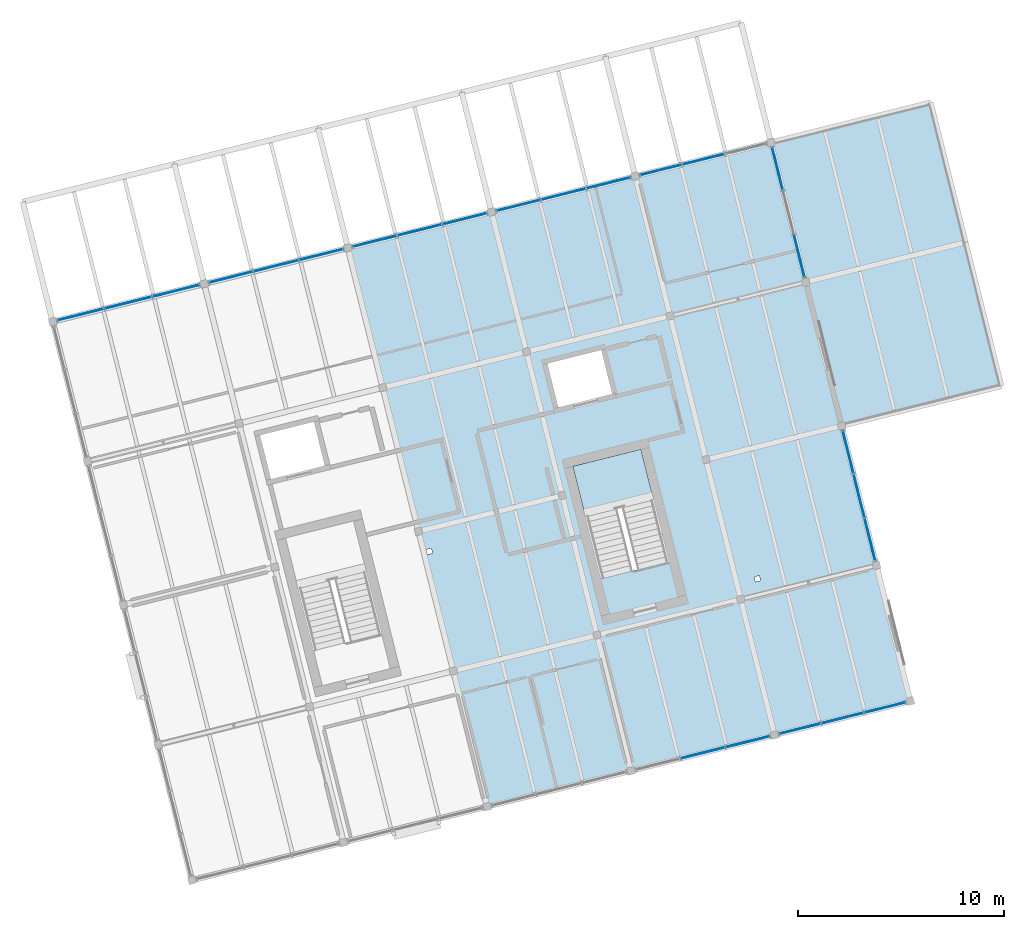
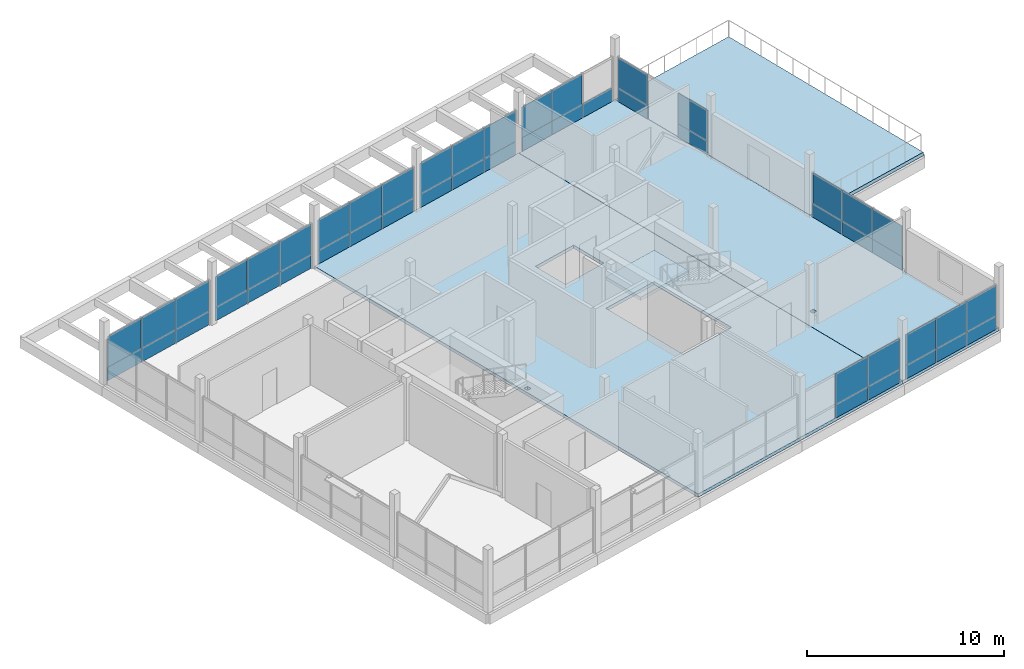
# One storey, part 25 of 28: 49 plates, 4 slabs, 10 elements without a shape of their own.
"""IFC4 building model written with IfcOpenShell, lengths in metres."""

import ifcopenshell
import ifcopenshell.guid

model = None  # the IFC model being written
_history = None  # IfcOwnerHistory: only IFC2X3 demands one
_inside = {}  # id of a spatial element -> (the spatial element, [elements in it])
_under = {}  # id of a project, library or spatial element -> (it, [spatial elements below it])
_declared = {}  # id of a project -> (the project, [libraries it declares])
_typed = {}  # id of a type object -> (the type object, [elements of that type])
_made_of = {}  # id of a material, layer set ... -> (it, [elements and type objects made of it])


def new_model(schema):
    """Start an empty IFC model of exactly this schema.

    Asked for "IFC4X3", IfcOpenShell would pick the latest addendum, in which some entities
    have other attributes; the version numbers below select the first issue.
    IFC2X3 requires an IfcOwnerHistory on every rooted entity: one is made here for all.
    """
    global model, _history
    if schema == "IFC4X3":
        model = ifcopenshell.file(schema_version=(4, 3, 0, 0))
    else:
        model = ifcopenshell.file(schema=schema)
    _inside.clear()
    _under.clear()
    _declared.clear()
    _typed.clear()
    _made_of.clear()
    _history = None
    if model.schema == "IFC2X3":
        org = make("IfcOrganization", Name="unknown")
        user = make(
            "IfcPersonAndOrganization",
            ThePerson=make("IfcPerson", FamilyName="unknown"),
            TheOrganization=org,
        )
        app = make(
            "IfcApplication",
            ApplicationDeveloper=org,
            Version="unknown",
            ApplicationFullName="unknown",
            ApplicationIdentifier="unknown",
        )
        _history = make(
            "IfcOwnerHistory",
            OwningUser=user,
            OwningApplication=app,
            ChangeAction="ADDED",
            CreationDate=0,
        )
    return model


def make(cls, **values):
    """One entity of the class cls with the attributes given. An attribute that is None is left unset."""
    return model.create_entity(
        cls, **{name: value for name, value in values.items() if value is not None}
    )


def rooted(cls, **values):
    """An entity with a GlobalId (a new one), such as an element, a storey or a relation."""
    return make(cls, GlobalId=ifcopenshell.guid.new(), OwnerHistory=_history, **values)


def si_unit(unit_type, name, prefix=None):
    """IfcSIUnit, for example si_unit("LENGTHUNIT", "METRE", prefix="MILLI")."""
    return make("IfcSIUnit", UnitType=unit_type, Prefix=prefix, Name=name)


def assignment(units):
    """IfcUnitAssignment: the units of a project."""
    return None if units is None else make("IfcUnitAssignment", Units=units)


def point(xyz):
    """IfcCartesianPoint."""
    return None if xyz is None else make("IfcCartesianPoint", Coordinates=xyz)


def direction(xyz):
    """IfcDirection."""
    return None if xyz is None else make("IfcDirection", DirectionRatios=xyz)


def frame(location, z_axis=None, x_axis=None):
    """IfcAxis2Placement3D, a coordinate frame: its origin and axes. An axis left out is left unset."""
    return make(
        "IfcAxis2Placement3D",
        Location=point(location),
        Axis=direction(z_axis),
        RefDirection=direction(x_axis),
    )


def frame_2d(location, x_axis=None):
    """IfcAxis2Placement2D, a coordinate frame in the plane: its origin and x axis."""
    return make(
        "IfcAxis2Placement2D", Location=point(location), RefDirection=direction(x_axis)
    )


def origin():
    """The frame at (0, 0, 0) with its axes left unset."""
    return frame((0.0, 0.0, 0.0))


def origin_2d():
    """The frame at (0, 0) in the plane with its x axis left unset."""
    return frame_2d((0.0, 0.0))


def place(relative_to, where):
    """IfcLocalPlacement: puts the frame where relative to a parent placement (None: the world)."""
    return make(
        "IfcLocalPlacement", PlacementRelTo=relative_to, RelativePlacement=where
    )


def context(
    kind, dimensions, precision=None, world=None, true_north=None, identifier=None
):
    """IfcGeometricRepresentationContext, for example the 3D "Model" context."""
    return make(
        "IfcGeometricRepresentationContext",
        ContextIdentifier=identifier,
        ContextType=kind,
        CoordinateSpaceDimension=dimensions,
        Precision=precision,
        WorldCoordinateSystem=world,
        TrueNorth=true_north,
    )


def subcontext(parent, identifier, kind, view, scale=None):
    """IfcGeometricRepresentationSubContext, for example "Body" below "Model"."""
    return make(
        "IfcGeometricRepresentationSubContext",
        ContextIdentifier=identifier,
        ContextType=kind,
        ParentContext=parent,
        TargetScale=scale,
        TargetView=view,
    )


def project(units=None, contexts=None):
    """IfcProject with its units and contexts."""
    return rooted(
        "IfcProject",
        Name="project",
        RepresentationContexts=contexts,
        UnitsInContext=assignment(units),
    )


def spatial(cls, under=None, at=None, **own):
    """A site, building, storey or space (cls), placed at a placement, below another one or the project."""
    s = rooted(cls, ObjectPlacement=at, **own)
    if under is not None:
        _under.setdefault(under.id(), (under, []))[1].append(s)
    return s


def polyline(points):
    """IfcPolyline through the points."""
    return make("IfcPolyline", Points=[point(p) for p in points])


def profile(cls, at=None, kind="AREA", **sizes):
    """A parametric profile (cls). Its sizes go by their IFC names, for example OverallWidth=200.0."""
    return make(cls, ProfileType=kind, Position=at, **sizes)


def rectangle(**sizes):
    """IfcRectangleProfileDef."""
    return profile("IfcRectangleProfileDef", **sizes)


def outline(outer, holes=None, kind="AREA"):
    """IfcArbitraryClosedProfileDef: a profile drawn as a closed curve; with holes, ...WithVoids."""
    if holes is None:
        return make("IfcArbitraryClosedProfileDef", ProfileType=kind, OuterCurve=outer)
    return make(
        "IfcArbitraryProfileDefWithVoids",
        ProfileType=kind,
        OuterCurve=outer,
        InnerCurves=holes,
    )


def extrude(swept, where, along, depth):
    """IfcExtrudedAreaSolid: the profile swept, set in the frame where, extruded along a direction by depth."""
    return make(
        "IfcExtrudedAreaSolid",
        SweptArea=swept,
        Position=where,
        ExtrudedDirection=direction(along),
        Depth=depth,
    )


def shape(context_of_items, identifier, shape_type, items):
    """IfcShapeRepresentation: the items that make up one representation, for example the "Body"."""
    return make(
        "IfcShapeRepresentation",
        ContextOfItems=context_of_items,
        RepresentationIdentifier=identifier,
        RepresentationType=shape_type,
        Items=items,
    )


def material(Name=None, Category=None):
    """IfcMaterial."""
    return make("IfcMaterial", Name=Name, Category=Category)


def layer(
    of_material, thickness, ventilated=None, Name=None, Category=None, Priority=None
):
    """IfcMaterialLayer: one layer of a wall or slab, of a material (None: an air gap)."""
    return make(
        "IfcMaterialLayer",
        Material=of_material,
        LayerThickness=thickness,
        IsVentilated=ventilated,
        Name=Name,
        Category=Category,
        Priority=Priority,
    )


def layer_set(layers, Name=None):
    """IfcMaterialLayerSet."""
    return make("IfcMaterialLayerSet", MaterialLayers=layers, LayerSetName=Name)


def made_of(thing, what):
    """Note that an element or type object is made of a material, layer set ...; save() writes the relation."""
    if what is not None:
        _made_of.setdefault(what.id(), (what, []))[1].append(thing)
    return thing


def type_object(cls, material=None, **own):
    """A type object (cls), such as IfcWallType, which elements share."""
    return made_of(rooted(cls, **own), material)


def element(
    cls,
    number,
    at=None,
    inside=None,
    cuts=None,
    type_object=None,
    material=None,
    context=None,
    identifier="Body",
    shape_type=None,
    held_by="IfcProductDefinitionShape",
    body=None,
    shapes=None,
    **own,
):
    """One element of the class cls, such as IfcWall. Its Tag is "e" and its number.

    at: its placement. inside: the storey or other place that contains it. cuts: it is an
    opening in that element (IfcRelVoidsElement). A single representation is given by context,
    identifier, shape_type and body (its items); several are given by shapes. held_by: the class
    of the entity that holds the representations. save() writes the other relations.
    """
    e = rooted(cls, Tag="e%d" % number, ObjectPlacement=at, **own)
    if body is not None:
        shapes = [shape(context, identifier, shape_type, body)]
    if shapes is not None:
        e.Representation = make(held_by, Representations=shapes)
    if inside is not None:
        _inside.setdefault(inside.id(), (inside, []))[1].append(e)
    if cuts is not None:
        rooted(
            "IfcRelVoidsElement", RelatingBuildingElement=cuts, RelatedOpeningElement=e
        )
    if type_object is not None:
        _typed.setdefault(type_object.id(), (type_object, []))[1].append(e)
    return made_of(e, material)


def aggregate(whole, parts):
    """IfcRelAggregates: a whole, such as a stair, and the parts it consists of."""
    return rooted("IfcRelAggregates", RelatingObject=whole, RelatedObjects=parts)


def save(model, path):
    """Write the relations noted so far, then the file.

    IfcRelAggregates (storeys below a building ...), IfcRelContainedInSpatialStructure (elements
    in a storey), IfcRelDefinesByType, IfcRelAssociatesMaterial and IfcRelDeclares: one each for
    every whole, place, type object, material and project.
    """
    for whole, parts in _under.values():
        aggregate(whole, parts)
    for where, things in _inside.values():
        rooted(
            "IfcRelContainedInSpatialStructure",
            RelatedElements=things,
            RelatingStructure=where,
        )
    for kind, things in _typed.values():
        rooted("IfcRelDefinesByType", RelatedObjects=things, RelatingType=kind)
    for what, things in _made_of.values():
        rooted("IfcRelAssociatesMaterial", RelatedObjects=things, RelatingMaterial=what)
    for by, libraries in _declared.values():
        rooted("IfcRelDeclares", RelatingContext=by, RelatedDefinitions=libraries)
    model.write(path)


model = new_model("IFC4")

# Units and contexts
model_context = context("Model", 3, precision=1e-05, world=origin(), true_north=direction((0.0, 1.0)))
body_context = subcontext(model_context, "Body", "Model", "MODEL_VIEW")
ifc_project = project(units=[si_unit("LENGTHUNIT", "METRE"), si_unit("AREAUNIT", "SQUARE_METRE"), si_unit("VOLUMEUNIT", "CUBIC_METRE"), si_unit("PLANEANGLEUNIT", "RADIAN"), si_unit("MASSUNIT", "GRAM", prefix="KILO")], contexts=[model_context])

# Site, building, storey
site_placement = place(None, origin())
site = spatial("IfcSite", under=ifc_project, at=site_placement, CompositionType="ELEMENT")
building_placement = place(site_placement, origin())
building = spatial("IfcBuilding", under=site, at=building_placement, Name="Meriwether Solvik Hall", CompositionType="ELEMENT")
storey_placement = place(building_placement, frame((0.0, 0.0, 45.60009765625)))
storey = spatial("IfcBuildingStorey", under=building, at=storey_placement, Name="L11", CompositionType="ELEMENT", Elevation=45.60009765625)

# Curtain wall, plates
ifc_material_1 = material(Name="Thermally Broken Anodised Aluminium 6063-T6 and Low-E Glass", Category="aluminium")
ifc_layer_1 = layer(ifc_material_1, 0.179931640625)
ifc_layer_set_1 = layer_set([ifc_layer_1], Name="Thermally Broken Anodised Aluminium 6063-T6 and Low-E Glass")
curtain_wall_type_1 = type_object("IfcCurtainWallType", Name="CW-UNIT-E", PredefinedType="USERDEFINED", material=ifc_layer_set_1)
curtain_wall_1_placement = place(storey_placement, origin())
curtain_wall_1 = element("IfcCurtainWall", 1, at=curtain_wall_1_placement, inside=storey, type_object=curtain_wall_type_1, Name="Curtain Wall E0_B3 (L11)", ObjectType="UNITISED CURTAIN WALL", PredefinedType="USERDEFINED")
ifc_material_2 = material(Name="Low-Emissivity Double-Glazed Laminated Glass", Category="glass")
ifc_layer_2 = layer(ifc_material_2, 0.031982421875)
ifc_layer_set_2 = layer_set([ifc_layer_2], Name="Low-Emissivity Double-Glazed Laminated Glass")
plate_type_1 = type_object("IfcPlateType", Name="PLT-GLZ-180X185", PredefinedType="CURTAIN_PANEL", material=ifc_layer_set_2)
plate_1_placement = place(storey_placement, frame((95.6240234375, 47.937744140625, 0.8369140625), z_axis=(0.0, 0.0, 1.0), x_axis=(-0.97029573429, -0.241921863457, 0.0)))
plate_1 = element("IfcPlate", 2, at=plate_1_placement, type_object=plate_type_1, Name="Low-E Vision Glazing Panel 1", PredefinedType="CURTAIN_PANEL", context=body_context, shape_type="SweptSolid", body=[
    extrude(rectangle(XDim=2.224365234375, YDim=0.033935546875, at=origin_2d()), origin(), (0.0, 0.0, 1.0), 1.89306640625),
])
plate_2_placement = place(storey_placement, frame((93.439453125, 47.393310546875, 0.8369140625), z_axis=(0.0, 0.0, 1.0), x_axis=(-0.97029573429, -0.241921863457, 0.0)))
plate_2 = element("IfcPlate", 3, at=plate_2_placement, type_object=plate_type_1, Name="Low-E Vision Glazing Panel 2", PredefinedType="CURTAIN_PANEL", context=body_context, shape_type="SweptSolid", body=[
    extrude(rectangle(XDim=2.26220703125, YDim=0.033935546875, at=origin_2d()), origin(), (0.0, 0.0, 1.0), 1.89306640625),
])

ifc_material_3 = material(Name="Thermally Broken Anodised Aluminium 6063-T6 and Low-E Glass", Category="aluminium")
ifc_layer_3 = layer(ifc_material_3, 0.179931640625)
ifc_layer_set_3 = layer_set([ifc_layer_3], Name="Thermally Broken Anodised Aluminium 6063-T6 and Low-E Glass")
curtain_wall_type_2 = type_object("IfcCurtainWallType", Name="CW-UNIT-F", PredefinedType="USERDEFINED", material=ifc_layer_set_3)
curtain_wall_2_placement = place(storey_placement, origin())
curtain_wall_2 = element("IfcCurtainWall", 4, at=curtain_wall_2_placement, inside=storey, type_object=curtain_wall_type_2, Name="Curtain Wall E1_B3 (L11)", ObjectType="UNITISED CURTAIN WALL", PredefinedType="USERDEFINED")
plate_3_placement = place(storey_placement, frame((97.074951171875, 75.80126953125, 0.8369140625), z_axis=(0.0, 0.0, 1.0), x_axis=(0.241921946828, -0.970295713503, 0.0)))
plate_3 = element("IfcPlate", 5, at=plate_3_placement, type_object=plate_type_1, Name="Low-E Vision Glazing Panel 1", PredefinedType="CURTAIN_PANEL", context=body_context, shape_type="SweptSolid", body=[
    extrude(rectangle(XDim=2.15771484375, YDim=0.033935546875, at=origin_2d()), origin(), (0.0, 0.0, 1.0), 1.89306640625),
])
plate_4_placement = place(storey_placement, frame((98.132080078125, 71.561767578125, 0.8369140625), z_axis=(0.0, 0.0, 1.0), x_axis=(0.241921946828, -0.970295713503, 0.0)))
plate_4 = element("IfcPlate", 6, at=plate_4_placement, type_object=plate_type_1, Name="Low-E Vision Glazing Panel 3", PredefinedType="CURTAIN_PANEL", context=body_context, shape_type="SweptSolid", body=[
    extrude(rectangle(XDim=2.15771484375, YDim=0.033935546875, at=origin_2d()), origin(), (0.0, 0.0, 1.0), 1.89306640625),
])

ifc_material_4 = material(Name="Thermally Broken Anodised Aluminium 6063-T6 and Low-E Glass", Category="aluminium")
ifc_layer_4 = layer(ifc_material_4, 0.179931640625)
ifc_layer_set_4 = layer_set([ifc_layer_4], Name="Thermally Broken Anodised Aluminium 6063-T6 and Low-E Glass")
curtain_wall_type_3 = type_object("IfcCurtainWallType", Name="CW-UNIT-G", PredefinedType="USERDEFINED", material=ifc_layer_set_4)
curtain_wall_3_placement = place(storey_placement, origin())
curtain_wall_3 = element("IfcCurtainWall", 7, at=curtain_wall_3_placement, inside=storey, type_object=curtain_wall_type_3, Name="Curtain Wall E2_B3 (L11)", ObjectType="UNITISED CURTAIN WALL", PredefinedType="USERDEFINED")
plate_5_placement = place(storey_placement, frame((84.481201171875, 74.016845703125, 0.8369140625), z_axis=(0.0, 0.0, 1.0), x_axis=(0.97029573429, 0.241921863457, 0.0)))
plate_5 = element("IfcPlate", 8, at=plate_5_placement, type_object=plate_type_1, Name="Low-E Vision Glazing Panel 1", PredefinedType="CURTAIN_PANEL", context=body_context, shape_type="SweptSolid", body=[
    extrude(rectangle(XDim=2.224365234375, YDim=0.033935546875, at=origin_2d()), origin(), (0.0, 0.0, 1.0), 1.89306640625),
])
plate_6_placement = place(storey_placement, frame((86.665771484375, 74.5615234375, 0.8369140625), z_axis=(0.0, 0.0, 1.0), x_axis=(0.97029573429, 0.241921863457, 0.0)))
plate_6 = element("IfcPlate", 9, at=plate_6_placement, type_object=plate_type_1, Name="Low-E Vision Glazing Panel 2", PredefinedType="CURTAIN_PANEL", context=body_context, shape_type="SweptSolid", body=[
    extrude(rectangle(XDim=2.26220703125, YDim=0.033935546875, at=origin_2d()), origin(), (0.0, 0.0, 1.0), 1.89306640625),
])
plate_7_placement = place(storey_placement, frame((88.850341796875, 75.106201171875, 0.8369140625), z_axis=(0.0, 0.0, 1.0), x_axis=(0.97029573429, 0.241921863457, 0.0)))
plate_7 = element("IfcPlate", 10, at=plate_7_placement, type_object=plate_type_1, Name="Low-E Vision Glazing Panel 3", PredefinedType="CURTAIN_PANEL", context=body_context, shape_type="SweptSolid", body=[
    extrude(rectangle(XDim=2.224365234375, YDim=0.033935546875, at=origin_2d()), origin(), (0.0, 0.0, 1.0), 1.89306640625),
])

curtain_wall_4_placement = place(storey_placement, origin())
curtain_wall_4 = element("IfcCurtainWall", 11, at=curtain_wall_4_placement, inside=storey, type_object=curtain_wall_type_2, Name="Curtain Wall E2_B2 (L11)", ObjectType="UNITISED CURTAIN WALL", PredefinedType="USERDEFINED")
ifc_material_5 = material(Name="Low-Emissivity Double-Glazed Laminated Glass", Category="glass")
ifc_layer_5 = layer(ifc_material_5, 0.031982421875)
ifc_layer_set_5 = layer_set([ifc_layer_5], Name="Low-Emissivity Double-Glazed Laminated Glass")
plate_type_2 = type_object("IfcPlateType", Name="PLT-GLZ-195X185", PredefinedType="CURTAIN_PANEL", material=ifc_layer_set_5)
plate_8_placement = place(storey_placement, frame((77.4951171875, 72.27490234375, 0.8369140625), z_axis=(0.0, 0.0, 1.0), x_axis=(0.970295725693, 0.241921897937, 0.0)))
plate_8 = element("IfcPlate", 12, at=plate_8_placement, type_object=plate_type_2, Name="Low-E Vision Glazing Panel 1", PredefinedType="CURTAIN_PANEL", context=body_context, shape_type="SweptSolid", body=[
    extrude(rectangle(XDim=2.224365234375, YDim=0.033935546875, at=origin_2d()), origin(), (0.0, 0.0, 1.0), 1.89306640625),
])
plate_9_placement = place(storey_placement, frame((79.6796875, 72.819580078125, 0.8369140625), z_axis=(0.0, 0.0, 1.0), x_axis=(0.970295725693, 0.241921897937, 0.0)))
plate_9 = element("IfcPlate", 13, at=plate_9_placement, type_object=plate_type_2, Name="Low-E Vision Glazing Panel 2", PredefinedType="CURTAIN_PANEL", context=body_context, shape_type="SweptSolid", body=[
    extrude(rectangle(XDim=2.26220703125, YDim=0.033935546875, at=origin_2d()), origin(), (0.0, 0.0, 1.0), 1.89306640625),
])
plate_10_placement = place(storey_placement, frame((81.864013671875, 73.3642578125, 0.8369140625), z_axis=(0.0, 0.0, 1.0), x_axis=(0.970295725693, 0.241921897937, 0.0)))
plate_10 = element("IfcPlate", 14, at=plate_10_placement, type_object=plate_type_2, Name="Low-E Vision Glazing Panel 3", PredefinedType="CURTAIN_PANEL", context=body_context, shape_type="SweptSolid", body=[
    extrude(rectangle(XDim=2.224365234375, YDim=0.033935546875, at=origin_2d()), origin(), (0.0, 0.0, 1.0), 1.89306640625),
])

ifc_material_6 = material(Name="Thermally Broken Anodised Aluminium 6063-T6 and Low-E Glass", Category="aluminium")
ifc_layer_6 = layer(ifc_material_6, 0.179931640625)
ifc_layer_set_6 = layer_set([ifc_layer_6], Name="Thermally Broken Anodised Aluminium 6063-T6 and Low-E Glass")
curtain_wall_type_4 = type_object("IfcCurtainWallType", Name="CW-UNIT-D", PredefinedType="USERDEFINED", material=ifc_layer_set_6)
curtain_wall_5_placement = place(storey_placement, origin())
curtain_wall_5 = element("IfcCurtainWall", 15, at=curtain_wall_5_placement, inside=storey, type_object=curtain_wall_type_4, Name="Curtain Wall E1_B1 (L11)", ObjectType="UNITISED CURTAIN WALL", PredefinedType="USERDEFINED")
ifc_material_7 = material(Name="Low-Emissivity Double-Glazed Laminated Glass", Category="glass")
ifc_layer_7 = layer(ifc_material_7, 0.031982421875)
ifc_layer_set_7 = layer_set([ifc_layer_7], Name="Low-Emissivity Double-Glazed Laminated Glass")
plate_type_3 = type_object("IfcPlateType", Name="PLT-GLZ-210X195", PredefinedType="CURTAIN_PANEL", material=ifc_layer_set_7)
plate_11_placement = place(storey_placement, frame((100.51025390625, 62.02294921875, 0.8369140625), z_axis=(0.0, 0.0, 1.0), x_axis=(0.241921804422, -0.970295749009, 0.0)))
plate_11 = element("IfcPlate", 16, at=plate_11_placement, type_object=plate_type_3, Name="Low-E Vision Glazing Panel 1", PredefinedType="CURTAIN_PANEL", context=body_context, shape_type="SweptSolid", body=[
    extrude(rectangle(XDim=2.15771484375, YDim=0.033935546875, at=origin_2d()), origin(), (0.0, 0.0, 1.0), 1.89306640625),
])
plate_12_placement = place(storey_placement, frame((101.038818359375, 59.9033203125, 0.8369140625), z_axis=(0.0, 0.0, 1.0), x_axis=(0.241921804422, -0.970295749009, 0.0)))
plate_12 = element("IfcPlate", 17, at=plate_12_placement, type_object=plate_type_3, Name="Low-E Vision Glazing Panel 2", PredefinedType="CURTAIN_PANEL", context=body_context, shape_type="SweptSolid", body=[
    extrude(rectangle(XDim=2.19580078125, YDim=0.033935546875, at=origin_2d()), origin(), (0.0, 0.0, 1.0), 1.89306640625),
])
plate_13_placement = place(storey_placement, frame((101.5673828125, 57.783447265625, 0.8369140625), z_axis=(0.0, 0.0, 1.0), x_axis=(0.241921804422, -0.970295749009, 0.0)))
plate_13 = element("IfcPlate", 18, at=plate_13_placement, type_object=plate_type_3, Name="Low-E Vision Glazing Panel 3", PredefinedType="CURTAIN_PANEL", context=body_context, shape_type="SweptSolid", body=[
    extrude(rectangle(XDim=2.15771484375, YDim=0.033935546875, at=origin_2d()), origin(), (0.0, 0.0, 1.0), 1.89306640625),
])

curtain_wall_6_placement = place(storey_placement, origin())
curtain_wall_6 = element("IfcCurtainWall", 19, at=curtain_wall_6_placement, inside=storey, type_object=curtain_wall_type_1, Name="Curtain Wall E2_B1 (L11)", ObjectType="UNITISED CURTAIN WALL", PredefinedType="USERDEFINED")
plate_14_placement = place(storey_placement, frame((70.509033203125, 70.533203125, 0.8369140625), z_axis=(0.0, 0.0, 1.0), x_axis=(0.970295725693, 0.241921897937, 0.0)))
plate_14 = element("IfcPlate", 20, at=plate_14_placement, type_object=plate_type_3, Name="Low-E Vision Glazing Panel 1", PredefinedType="CURTAIN_PANEL", context=body_context, shape_type="SweptSolid", body=[
    extrude(rectangle(XDim=2.224365234375, YDim=0.033935546875, at=origin_2d()), origin(), (0.0, 0.0, 1.0), 1.89306640625),
])
plate_15_placement = place(storey_placement, frame((72.693603515625, 71.077880859375, 0.8369140625), z_axis=(0.0, 0.0, 1.0), x_axis=(0.970295725693, 0.241921897937, 0.0)))
plate_15 = element("IfcPlate", 21, at=plate_15_placement, type_object=plate_type_3, Name="Low-E Vision Glazing Panel 2", PredefinedType="CURTAIN_PANEL", context=body_context, shape_type="SweptSolid", body=[
    extrude(rectangle(XDim=2.26220703125, YDim=0.033935546875, at=origin_2d()), origin(), (0.0, 0.0, 1.0), 1.89306640625),
])
plate_16_placement = place(storey_placement, frame((74.8779296875, 71.62255859375, 0.8369140625), z_axis=(0.0, 0.0, 1.0), x_axis=(0.970295725693, 0.241921897937, 0.0)))
plate_16 = element("IfcPlate", 22, at=plate_16_placement, type_object=plate_type_3, Name="Low-E Vision Glazing Panel 3", PredefinedType="CURTAIN_PANEL", context=body_context, shape_type="SweptSolid", body=[
    extrude(rectangle(XDim=2.224365234375, YDim=0.033935546875, at=origin_2d()), origin(), (0.0, 0.0, 1.0), 1.89306640625),
])

curtain_wall_7_placement = place(storey_placement, origin())
curtain_wall_7 = element("IfcCurtainWall", 23, at=curtain_wall_7_placement, inside=storey, type_object=curtain_wall_type_2, Name="Curtain Wall E0_B4 (L11)", ObjectType="UNITISED CURTAIN WALL", PredefinedType="USERDEFINED")
ifc_material_8 = material(Name="Low-Emissivity Double-Glazed Laminated Glass", Category="glass")
ifc_layer_8 = layer(ifc_material_8, 0.031982421875)
ifc_layer_set_8 = layer_set([ifc_layer_8], Name="Low-Emissivity Double-Glazed Laminated Glass")
plate_type_4 = type_object("IfcPlateType", Name="PLT-GLZ-225X195", PredefinedType="CURTAIN_PANEL", material=ifc_layer_set_8)
plate_17_placement = place(storey_placement, frame((102.28662109375, 49.59912109375, 0.8369140625), z_axis=(0.0, 0.0, 1.0), x_axis=(-0.970295737161, -0.241921851942, 0.0)))
plate_17 = element("IfcPlate", 24, at=plate_17_placement, type_object=plate_type_4, Name="Low-E Vision Glazing Panel 1", PredefinedType="CURTAIN_PANEL", context=body_context, shape_type="SweptSolid", body=[
    extrude(rectangle(XDim=2.091064453125, YDim=0.033935546875, at=origin_2d()), origin(), (0.0, 0.0, 1.0), 1.89306640625),
])
plate_18_placement = place(storey_placement, frame((100.231689453125, 49.086669921875, 0.8369140625), z_axis=(0.0, 0.0, 1.0), x_axis=(-0.970295737161, -0.241921851942, 0.0)))
plate_18 = element("IfcPlate", 25, at=plate_18_placement, type_object=plate_type_4, Name="Low-E Vision Glazing Panel 2", PredefinedType="CURTAIN_PANEL", context=body_context, shape_type="SweptSolid", body=[
    extrude(rectangle(XDim=2.12890625, YDim=0.033935546875, at=origin_2d()), origin(), (0.0, 0.0, 1.0), 1.89306640625),
])
plate_19_placement = place(storey_placement, frame((98.176513671875, 48.57421875, 0.8369140625), z_axis=(0.0, 0.0, 1.0), x_axis=(-0.970295737161, -0.241921851942, 0.0)))
plate_19 = element("IfcPlate", 26, at=plate_19_placement, type_object=plate_type_4, Name="Low-E Vision Glazing Panel 3", PredefinedType="CURTAIN_PANEL", context=body_context, shape_type="SweptSolid", body=[
    extrude(rectangle(XDim=2.091064453125, YDim=0.033935546875, at=origin_2d()), origin(), (0.0, 0.0, 1.0), 1.89306640625),
])

curtain_wall_8_placement = place(storey_placement, origin())
curtain_wall_8 = element("IfcCurtainWall", 27, at=curtain_wall_8_placement, inside=storey, type_object=curtain_wall_type_4, Name="Curtain Wall E2_B0 (L11)", ObjectType="UNITISED CURTAIN WALL", PredefinedType="USERDEFINED")
plate_20_placement = place(storey_placement, frame((63.199462890625, 68.710693359375, 0.8369140625), z_axis=(0.0, 0.0, 1.0), x_axis=(0.970295723616, 0.241921906269, 0.0)))
plate_20 = element("IfcPlate", 28, at=plate_20_placement, type_object=plate_type_4, Name="Low-E Vision Glazing Panel 1", PredefinedType="CURTAIN_PANEL", context=body_context, shape_type="SweptSolid", body=[
    extrude(rectangle(XDim=2.357666015625, YDim=0.033935546875, at=origin_2d()), origin(), (0.0, 0.0, 1.0), 1.89306640625),
])
plate_21_placement = place(storey_placement, frame((65.513427734375, 69.28759765625, 0.8369140625), z_axis=(0.0, 0.0, 1.0), x_axis=(0.970295723616, 0.241921906269, 0.0)))
plate_21 = element("IfcPlate", 29, at=plate_21_placement, type_object=plate_type_4, Name="Low-E Vision Glazing Panel 2", PredefinedType="CURTAIN_PANEL", context=body_context, shape_type="SweptSolid", body=[
    extrude(rectangle(XDim=2.395751953125, YDim=0.033935546875, at=origin_2d()), origin(), (0.0, 0.0, 1.0), 1.89306640625),
])
plate_22_placement = place(storey_placement, frame((67.8271484375, 69.864501953125, 0.8369140625), z_axis=(0.0, 0.0, 1.0), x_axis=(0.970295723616, 0.241921906269, 0.0)))
plate_22 = element("IfcPlate", 30, at=plate_22_placement, type_object=plate_type_4, Name="Low-E Vision Glazing Panel 3", PredefinedType="CURTAIN_PANEL", context=body_context, shape_type="SweptSolid", body=[
    extrude(rectangle(XDim=2.357666015625, YDim=0.033935546875, at=origin_2d()), origin(), (0.0, 0.0, 1.0), 1.89306640625),
])

ifc_material_9 = material(Name="Thermally Broken Anodised Aluminium 6063-T6 and Low-E Glass", Category="aluminium")
ifc_layer_9 = layer(ifc_material_9, 0.179931640625)
ifc_layer_set_9 = layer_set([ifc_layer_9], Name="Thermally Broken Anodised Aluminium 6063-T6 and Low-E Glass")
curtain_wall_type_5 = type_object("IfcCurtainWallType", Name="CW-UNIT-A", PredefinedType="USERDEFINED", material=ifc_layer_set_9)
curtain_wall_9_placement = place(storey_placement, origin())
curtain_wall_9 = element("IfcCurtainWall", 31, at=curtain_wall_9_placement, inside=storey, type_object=curtain_wall_type_5, Name="Curtain Wall E2_B4 (L11)", ObjectType="UNITISED CURTAIN WALL", PredefinedType="USERDEFINED")
plate_23_placement = place(storey_placement, frame((91.40283203125, 75.742431640625, 0.8369140625), z_axis=(0.0, 0.0, 1.0), x_axis=(0.970295700549, 0.241921998784, 0.0)))
plate_23 = element("IfcPlate", 32, at=plate_23_placement, type_object=plate_type_4, Name="Low-E Vision Glazing Panel 1", PredefinedType="CURTAIN_PANEL", context=body_context, shape_type="SweptSolid", body=[
    extrude(rectangle(XDim=2.091064453125, YDim=0.033935546875, at=origin_2d()), origin(), (0.0, 0.0, 1.0), 1.89306640625),
])
plate_24_placement = place(storey_placement, frame((93.457763671875, 76.2548828125, 0.8369140625), z_axis=(0.0, 0.0, 1.0), x_axis=(0.970295700549, 0.241921998784, 0.0)))
plate_24 = element("IfcPlate", 33, at=plate_24_placement, type_object=plate_type_4, Name="Low-E Vision Glazing Panel 2", PredefinedType="CURTAIN_PANEL", context=body_context, shape_type="SweptSolid", body=[
    extrude(rectangle(XDim=2.12890625, YDim=0.033935546875, at=origin_2d()), origin(), (0.0, 0.0, 1.0), 1.89306640625),
])

# Plate
ifc_material_10 = material(Name="Mineral-Wool Insulated Anodised Aluminium 6063-T6", Category="aluminium")
ifc_layer_10 = layer(ifc_material_10, 0.044921875)
ifc_layer_set_10 = layer_set([ifc_layer_10], Name="Mineral-Wool Insulated Anodised Aluminium 6063-T6")
plate_type_5 = type_object("IfcPlateType", Name="PLT-SPN-200X085", PredefinedType="CURTAIN_PANEL", material=ifc_layer_set_10)
plate_25_placement = place(storey_placement, frame((95.6240234375, 47.937744140625, 0.0), z_axis=(0.0, 0.0, 1.0), x_axis=(-0.97029573429, -0.241921863457, 0.0)))
plate_25 = element("IfcPlate", 34, at=plate_25_placement, type_object=plate_type_5, Name="Insulated Spandrel Panel 1", PredefinedType="CURTAIN_PANEL", context=body_context, shape_type="SweptSolid", body=[
    extrude(rectangle(XDim=2.224365234375, YDim=0.044921875, at=origin_2d()), origin(), (0.0, 0.0, 1.0), 0.8369140625),
])

plate_26_placement = place(storey_placement, frame((93.439453125, 47.393310546875, 0.0), z_axis=(0.0, 0.0, 1.0), x_axis=(-0.97029573429, -0.241921863457, 0.0)))
plate_26 = element("IfcPlate", 35, at=plate_26_placement, type_object=plate_type_5, Name="Insulated Spandrel Panel 2", PredefinedType="CURTAIN_PANEL", context=body_context, shape_type="SweptSolid", body=[
    extrude(rectangle(XDim=2.26220703125, YDim=0.044921875, at=origin_2d()), origin(), (0.0, 0.0, 1.0), 0.8369140625),
])

aggregate(curtain_wall_1, [plate_25, plate_1, plate_26, plate_2])

plate_27_placement = place(storey_placement, frame((102.28662109375, 49.59912109375, 0.0), z_axis=(0.0, 0.0, 1.0), x_axis=(-0.970295737161, -0.241921851942, 0.0)))
plate_27 = element("IfcPlate", 36, at=plate_27_placement, type_object=plate_type_5, Name="Insulated Spandrel Panel 1", PredefinedType="CURTAIN_PANEL", context=body_context, shape_type="SweptSolid", body=[
    extrude(rectangle(XDim=2.091064453125, YDim=0.044921875, at=origin_2d()), origin(), (0.0, 0.0, 1.0), 0.8369140625),
])

plate_28_placement = place(storey_placement, frame((100.231689453125, 49.086669921875, 0.0), z_axis=(0.0, 0.0, 1.0), x_axis=(-0.970295737161, -0.241921851942, 0.0)))
plate_28 = element("IfcPlate", 37, at=plate_28_placement, type_object=plate_type_5, Name="Insulated Spandrel Panel 2", PredefinedType="CURTAIN_PANEL", context=body_context, shape_type="SweptSolid", body=[
    extrude(rectangle(XDim=2.12890625, YDim=0.044921875, at=origin_2d()), origin(), (0.0, 0.0, 1.0), 0.8369140625),
])

plate_29_placement = place(storey_placement, frame((98.176513671875, 48.57421875, 0.0), z_axis=(0.0, 0.0, 1.0), x_axis=(-0.970295737161, -0.241921851942, 0.0)))
plate_29 = element("IfcPlate", 38, at=plate_29_placement, type_object=plate_type_5, Name="Insulated Spandrel Panel 3", PredefinedType="CURTAIN_PANEL", context=body_context, shape_type="SweptSolid", body=[
    extrude(rectangle(XDim=2.091064453125, YDim=0.044921875, at=origin_2d()), origin(), (0.0, 0.0, 1.0), 0.8369140625),
])

aggregate(curtain_wall_7, [plate_27, plate_17, plate_28, plate_18, plate_29, plate_19])

plate_30_placement = place(storey_placement, frame((100.51025390625, 62.02294921875, 0.0), z_axis=(0.0, 0.0, 1.0), x_axis=(0.241921804422, -0.970295749009, 0.0)))
plate_30 = element("IfcPlate", 39, at=plate_30_placement, type_object=plate_type_5, Name="Insulated Spandrel Panel 1", PredefinedType="CURTAIN_PANEL", context=body_context, shape_type="SweptSolid", body=[
    extrude(rectangle(XDim=2.15771484375, YDim=0.044921875, at=origin_2d()), origin(), (0.0, 0.0, 1.0), 0.8369140625),
])

plate_31_placement = place(storey_placement, frame((101.038818359375, 59.9033203125, 0.0), z_axis=(0.0, 0.0, 1.0), x_axis=(0.241921804422, -0.970295749009, 0.0)))
plate_31 = element("IfcPlate", 40, at=plate_31_placement, type_object=plate_type_5, Name="Insulated Spandrel Panel 2", PredefinedType="CURTAIN_PANEL", context=body_context, shape_type="SweptSolid", body=[
    extrude(rectangle(XDim=2.19580078125, YDim=0.044921875, at=origin_2d()), origin(), (0.0, 0.0, 1.0), 0.8369140625),
])

plate_32_placement = place(storey_placement, frame((101.5673828125, 57.783447265625, 0.0), z_axis=(0.0, 0.0, 1.0), x_axis=(0.241921804422, -0.970295749009, 0.0)))
plate_32 = element("IfcPlate", 41, at=plate_32_placement, type_object=plate_type_5, Name="Insulated Spandrel Panel 3", PredefinedType="CURTAIN_PANEL", context=body_context, shape_type="SweptSolid", body=[
    extrude(rectangle(XDim=2.15771484375, YDim=0.044921875, at=origin_2d()), origin(), (0.0, 0.0, 1.0), 0.8369140625),
])

aggregate(curtain_wall_5, [plate_30, plate_11, plate_31, plate_12, plate_32, plate_13])

plate_33_placement = place(storey_placement, frame((97.074951171875, 75.80126953125, 0.0), z_axis=(0.0, 0.0, 1.0), x_axis=(0.241921946828, -0.970295713503, 0.0)))
plate_33 = element("IfcPlate", 42, at=plate_33_placement, type_object=plate_type_5, Name="Insulated Spandrel Panel 1", PredefinedType="CURTAIN_PANEL", context=body_context, shape_type="SweptSolid", body=[
    extrude(rectangle(XDim=2.15771484375, YDim=0.044921875, at=origin_2d()), origin(), (0.0, 0.0, 1.0), 0.8369140625),
])

plate_34_placement = place(storey_placement, frame((98.132080078125, 71.561767578125, 0.0), z_axis=(0.0, 0.0, 1.0), x_axis=(0.241921946828, -0.970295713503, 0.0)))
plate_34 = element("IfcPlate", 43, at=plate_34_placement, type_object=plate_type_5, Name="Insulated Spandrel Panel 3", PredefinedType="CURTAIN_PANEL", context=body_context, shape_type="SweptSolid", body=[
    extrude(rectangle(XDim=2.15771484375, YDim=0.044921875, at=origin_2d()), origin(), (0.0, 0.0, 1.0), 0.8369140625),
])

aggregate(curtain_wall_2, [plate_33, plate_3, plate_34, plate_4])

plate_35_placement = place(storey_placement, frame((63.199462890625, 68.710693359375, 0.0), z_axis=(0.0, 0.0, 1.0), x_axis=(0.970295723616, 0.241921906269, 0.0)))
plate_35 = element("IfcPlate", 44, at=plate_35_placement, type_object=plate_type_5, Name="Insulated Spandrel Panel 1", PredefinedType="CURTAIN_PANEL", context=body_context, shape_type="SweptSolid", body=[
    extrude(rectangle(XDim=2.357666015625, YDim=0.044921875, at=origin_2d()), origin(), (0.0, 0.0, 1.0), 0.8369140625),
])

plate_36_placement = place(storey_placement, frame((65.513427734375, 69.28759765625, 0.0), z_axis=(0.0, 0.0, 1.0), x_axis=(0.970295723616, 0.241921906269, 0.0)))
plate_36 = element("IfcPlate", 45, at=plate_36_placement, type_object=plate_type_5, Name="Insulated Spandrel Panel 2", PredefinedType="CURTAIN_PANEL", context=body_context, shape_type="SweptSolid", body=[
    extrude(rectangle(XDim=2.395751953125, YDim=0.044921875, at=origin_2d()), origin(), (0.0, 0.0, 1.0), 0.8369140625),
])

plate_37_placement = place(storey_placement, frame((67.8271484375, 69.864501953125, 0.0), z_axis=(0.0, 0.0, 1.0), x_axis=(0.970295723616, 0.241921906269, 0.0)))
plate_37 = element("IfcPlate", 46, at=plate_37_placement, type_object=plate_type_5, Name="Insulated Spandrel Panel 3", PredefinedType="CURTAIN_PANEL", context=body_context, shape_type="SweptSolid", body=[
    extrude(rectangle(XDim=2.357666015625, YDim=0.044921875, at=origin_2d()), origin(), (0.0, 0.0, 1.0), 0.8369140625),
])

aggregate(curtain_wall_8, [plate_35, plate_20, plate_36, plate_21, plate_37, plate_22])

plate_38_placement = place(storey_placement, frame((70.509033203125, 70.533203125, 0.0), z_axis=(0.0, 0.0, 1.0), x_axis=(0.970295725693, 0.241921897937, 0.0)))
plate_38 = element("IfcPlate", 47, at=plate_38_placement, type_object=plate_type_5, Name="Insulated Spandrel Panel 1", PredefinedType="CURTAIN_PANEL", context=body_context, shape_type="SweptSolid", body=[
    extrude(rectangle(XDim=2.224365234375, YDim=0.044921875, at=origin_2d()), origin(), (0.0, 0.0, 1.0), 0.8369140625),
])

plate_39_placement = place(storey_placement, frame((72.693603515625, 71.077880859375, 0.0), z_axis=(0.0, 0.0, 1.0), x_axis=(0.970295725693, 0.241921897937, 0.0)))
plate_39 = element("IfcPlate", 48, at=plate_39_placement, type_object=plate_type_5, Name="Insulated Spandrel Panel 2", PredefinedType="CURTAIN_PANEL", context=body_context, shape_type="SweptSolid", body=[
    extrude(rectangle(XDim=2.26220703125, YDim=0.044921875, at=origin_2d()), origin(), (0.0, 0.0, 1.0), 0.8369140625),
])

plate_40_placement = place(storey_placement, frame((74.8779296875, 71.62255859375, 0.0), z_axis=(0.0, 0.0, 1.0), x_axis=(0.970295725693, 0.241921897937, 0.0)))
plate_40 = element("IfcPlate", 49, at=plate_40_placement, type_object=plate_type_5, Name="Insulated Spandrel Panel 3", PredefinedType="CURTAIN_PANEL", context=body_context, shape_type="SweptSolid", body=[
    extrude(rectangle(XDim=2.224365234375, YDim=0.044921875, at=origin_2d()), origin(), (0.0, 0.0, 1.0), 0.8369140625),
])

aggregate(curtain_wall_6, [plate_38, plate_14, plate_39, plate_15, plate_40, plate_16])

plate_41_placement = place(storey_placement, frame((77.4951171875, 72.27490234375, 0.0), z_axis=(0.0, 0.0, 1.0), x_axis=(0.970295725693, 0.241921897937, 0.0)))
plate_41 = element("IfcPlate", 50, at=plate_41_placement, type_object=plate_type_5, Name="Insulated Spandrel Panel 1", PredefinedType="CURTAIN_PANEL", context=body_context, shape_type="SweptSolid", body=[
    extrude(rectangle(XDim=2.224365234375, YDim=0.044921875, at=origin_2d()), origin(), (0.0, 0.0, 1.0), 0.8369140625),
])

plate_42_placement = place(storey_placement, frame((79.6796875, 72.819580078125, 0.0), z_axis=(0.0, 0.0, 1.0), x_axis=(0.970295725693, 0.241921897937, 0.0)))
plate_42 = element("IfcPlate", 51, at=plate_42_placement, type_object=plate_type_5, Name="Insulated Spandrel Panel 2", PredefinedType="CURTAIN_PANEL", context=body_context, shape_type="SweptSolid", body=[
    extrude(rectangle(XDim=2.26220703125, YDim=0.044921875, at=origin_2d()), origin(), (0.0, 0.0, 1.0), 0.8369140625),
])

plate_43_placement = place(storey_placement, frame((81.864013671875, 73.3642578125, 0.0), z_axis=(0.0, 0.0, 1.0), x_axis=(0.970295725693, 0.241921897937, 0.0)))
plate_43 = element("IfcPlate", 52, at=plate_43_placement, type_object=plate_type_5, Name="Insulated Spandrel Panel 3", PredefinedType="CURTAIN_PANEL", context=body_context, shape_type="SweptSolid", body=[
    extrude(rectangle(XDim=2.224365234375, YDim=0.044921875, at=origin_2d()), origin(), (0.0, 0.0, 1.0), 0.8369140625),
])

aggregate(curtain_wall_4, [plate_41, plate_8, plate_42, plate_9, plate_43, plate_10])

plate_44_placement = place(storey_placement, frame((84.481201171875, 74.016845703125, 0.0), z_axis=(0.0, 0.0, 1.0), x_axis=(0.97029573429, 0.241921863457, 0.0)))
plate_44 = element("IfcPlate", 53, at=plate_44_placement, type_object=plate_type_5, Name="Insulated Spandrel Panel 1", PredefinedType="CURTAIN_PANEL", context=body_context, shape_type="SweptSolid", body=[
    extrude(rectangle(XDim=2.224365234375, YDim=0.044921875, at=origin_2d()), origin(), (0.0, 0.0, 1.0), 0.8369140625),
])

plate_45_placement = place(storey_placement, frame((86.665771484375, 74.5615234375, 0.0), z_axis=(0.0, 0.0, 1.0), x_axis=(0.97029573429, 0.241921863457, 0.0)))
plate_45 = element("IfcPlate", 54, at=plate_45_placement, type_object=plate_type_5, Name="Insulated Spandrel Panel 2", PredefinedType="CURTAIN_PANEL", context=body_context, shape_type="SweptSolid", body=[
    extrude(rectangle(XDim=2.26220703125, YDim=0.044921875, at=origin_2d()), origin(), (0.0, 0.0, 1.0), 0.8369140625),
])

plate_46_placement = place(storey_placement, frame((88.850341796875, 75.106201171875, 0.0), z_axis=(0.0, 0.0, 1.0), x_axis=(0.97029573429, 0.241921863457, 0.0)))
plate_46 = element("IfcPlate", 55, at=plate_46_placement, type_object=plate_type_5, Name="Insulated Spandrel Panel 3", PredefinedType="CURTAIN_PANEL", context=body_context, shape_type="SweptSolid", body=[
    extrude(rectangle(XDim=2.224365234375, YDim=0.044921875, at=origin_2d()), origin(), (0.0, 0.0, 1.0), 0.8369140625),
])

aggregate(curtain_wall_3, [plate_44, plate_5, plate_45, plate_6, plate_46, plate_7])

plate_47_placement = place(storey_placement, frame((91.40283203125, 75.742431640625, 0.0), z_axis=(0.0, 0.0, 1.0), x_axis=(0.970295700549, 0.241921998784, 0.0)))
plate_47 = element("IfcPlate", 56, at=plate_47_placement, type_object=plate_type_5, Name="Insulated Spandrel Panel 1", PredefinedType="CURTAIN_PANEL", context=body_context, shape_type="SweptSolid", body=[
    extrude(rectangle(XDim=2.091064453125, YDim=0.044921875, at=origin_2d()), origin(), (0.0, 0.0, 1.0), 0.8369140625),
])

plate_48_placement = place(storey_placement, frame((93.457763671875, 76.2548828125, 0.0), z_axis=(0.0, 0.0, 1.0), x_axis=(0.970295700549, 0.241921998784, 0.0)))
plate_48 = element("IfcPlate", 57, at=plate_48_placement, type_object=plate_type_5, Name="Insulated Spandrel Panel 2", PredefinedType="CURTAIN_PANEL", context=body_context, shape_type="SweptSolid", body=[
    extrude(rectangle(XDim=2.12890625, YDim=0.044921875, at=origin_2d()), origin(), (0.0, 0.0, 1.0), 0.8369140625),
])

plate_49_placement = place(storey_placement, frame((95.512939453125, 76.767333984375, 0.0), z_axis=(0.0, 0.0, 1.0), x_axis=(0.970295700549, 0.241921998784, 0.0)))
plate_49 = element("IfcPlate", 58, at=plate_49_placement, type_object=plate_type_5, Name="Insulated Spandrel Panel 3", PredefinedType="CURTAIN_PANEL", context=body_context, shape_type="SweptSolid", body=[
    extrude(rectangle(XDim=2.091064453125, YDim=0.044921875, at=origin_2d()), origin(), (0.0, 0.0, 1.0), 0.8369140625),
])

aggregate(curtain_wall_9, [plate_47, plate_23, plate_48, plate_24, plate_49])

# Slabs
ifc_material_11 = material(Name="Cross-Laminated Timber PRG 320 E1", Category="wood")
ifc_layer_11 = layer(ifc_material_11, 0.199951171875)
ifc_layer_set_11 = layer_set([ifc_layer_11], Name="Cross-Laminated Timber PRG 320 E1")
slab_type_1 = type_object("IfcSlabType", Name="SLB-CLT-200", PredefinedType="FLOOR", material=ifc_layer_set_11)
slab_1_placement = place(storey_placement, frame((0.0, 0.0, -0.2001953125)))
element("IfcSlab", 59, at=slab_1_placement, inside=storey, type_object=slab_type_1, Name="L11 Mass-Timber CLT Floor C", PredefinedType="FLOOR", context=body_context, shape_type="SweptSolid", body=[
    extrude(outline(polyline([(90.156005859375, 75.431640625), (96.9296875, 48.263427734375), (82.96337890625, 44.78125), (76.189453125, 71.949462890625), (90.156005859375, 75.431640625)]), holes=[polyline([(79.997314453125, 57.284912109375), (80.0576171875, 57.04248046875), (80.30029296875, 57.10302734375), (80.23974609375, 57.345458984375), (79.997314453125, 57.284912109375)]), polyline([(88.492919921875, 55.8662109375), (91.791748046875, 56.688720703125), (90.429443359375, 62.1533203125), (87.13037109375, 61.330810546875), (88.492919921875, 55.8662109375)]), polyline([(85.884521484375, 66.327880859375), (86.416748046875, 64.193359375), (89.036376953125, 64.846435546875), (88.504150390625, 66.981201171875), (85.884521484375, 66.327880859375)])]), origin(), (0.0, 0.0, 1.0), 0.2001953125),
])
slab_2_placement = place(storey_placement, frame((0.0, 0.0, -0.2001953125)))
element("IfcSlab", 60, at=slab_2_placement, inside=storey, type_object=slab_type_1, Name="L11 Mass-Timber CLT Floor E", PredefinedType="FLOOR", context=body_context, shape_type="SweptSolid", body=[
    extrude(outline(polyline([(96.7568359375, 77.077392578125), (103.53076171875, 49.9091796875), (96.935546875, 48.264892578125), (90.16162109375, 75.43310546875), (96.7568359375, 77.077392578125)]), holes=[polyline([(95.943115234375, 55.953125), (96.003662109375, 55.71044921875), (96.24609375, 55.77099609375), (96.185791015625, 56.013671875), (95.943115234375, 55.953125)])]), origin(), (0.0, 0.0, 1.0), 0.2001953125),
])
ifc_material_12 = material(Name="Cross-Laminated Timber PRG 320 E1", Category="wood")
ifc_layer_12 = layer(ifc_material_12, 0.219970703125)
ifc_layer_set_12 = layer_set([ifc_layer_12], Name="Cross-Laminated Timber PRG 320 E1")
slab_type_2 = type_object("IfcSlabType", Name="SLB-CLT-220", PredefinedType="FLOOR", material=ifc_layer_set_12)
slab_3_placement = place(storey_placement, frame((0.0, 0.0, -0.22021484375)))
element("IfcSlab", 61, at=slab_3_placement, inside=storey, type_object=slab_type_2, Name="L11 Upper Setback Terrace", PredefinedType="FLOOR", context=body_context, shape_type="SweptSolid", body=[
    extrude(outline(polyline([(100.197021484375, 63.300537109375), (107.95458984375, 65.234619140625), (104.519287109375, 79.012939453125), (96.76171875, 77.07861328125), (100.197021484375, 63.300537109375)])), origin(), (0.0, 0.0, 1.0), 0.22021484375),
])

# Stair, slab
ifc_material_13 = material(Name="Concrete C40/50", Category="concrete")
stair_type = type_object("IfcStairType", Name="STR-CORE-DOGLEG-A", PredefinedType="TWO_STRAIGHT_RUN_STAIR", material=ifc_material_13)
stair_placement = place(storey_placement, origin())
stair = element("IfcStair", 62, at=stair_placement, inside=storey, type_object=stair_type, Name="Exit Stair ST-02 (L11)", PredefinedType="TWO_STRAIGHT_RUN_STAIR")
ifc_material_14 = material(Name="Concrete C40/50", Category="concrete")
ifc_layer_13 = layer(ifc_material_14, 0.199951171875)
ifc_layer_set_13 = layer_set([ifc_layer_13], Name="Concrete C40/50")
slab_type_3 = type_object("IfcSlabType", Name="SLB-LND-200", PredefinedType="LANDING", material=ifc_layer_set_13)
slab_4_placement = place(storey_placement, frame((0.0, 0.0, 1.75)))
slab_4 = element("IfcSlab", 63, at=slab_4_placement, type_object=slab_type_3, Name="Stair ST-02 Half Landing (L11)", PredefinedType="LANDING", context=body_context, shape_type="SweptSolid", body=[
    extrude(outline(polyline([(87.73828125, 58.871826171875), (91.046875, 59.69677734375), (90.432861328125, 62.159423828125), (87.124267578125, 61.33447265625), (87.73828125, 58.871826171875)])), origin(), (0.0, 0.0, 1.0), 0.199951171875),
])
aggregate(stair, [slab_4])

save(model, "model.ifc")
